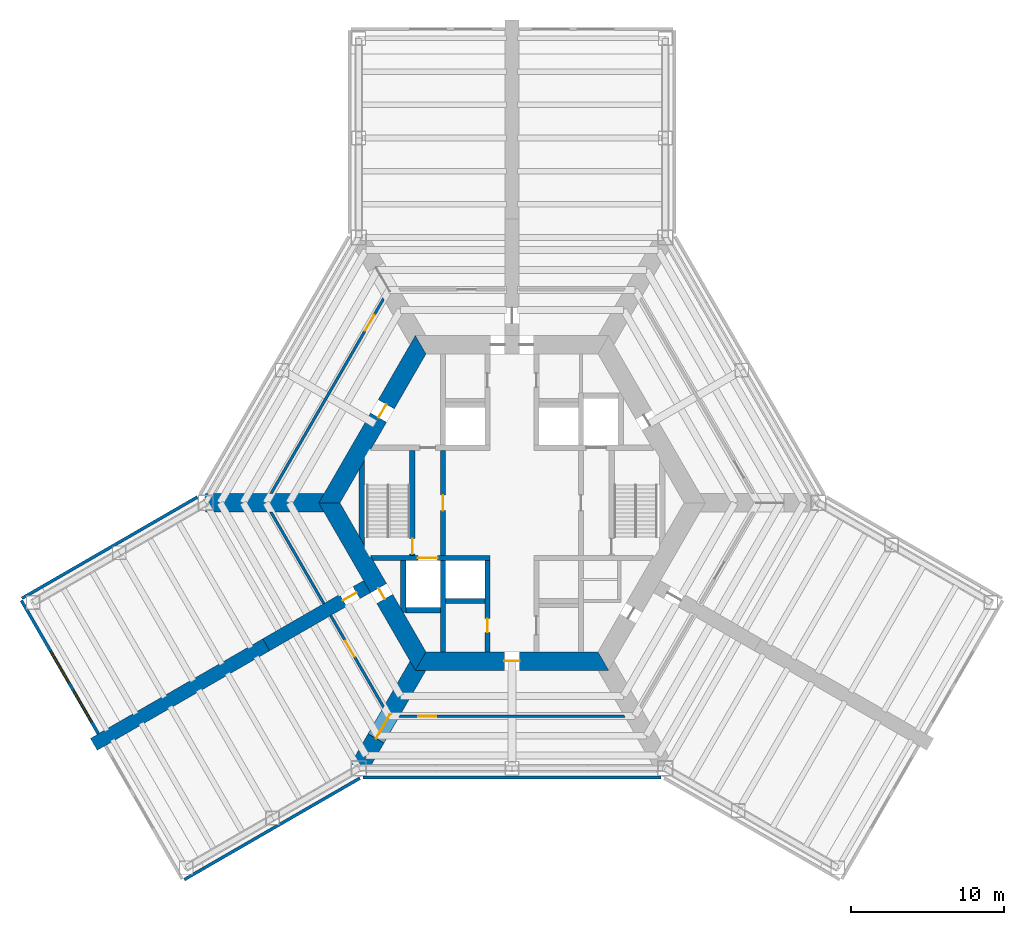
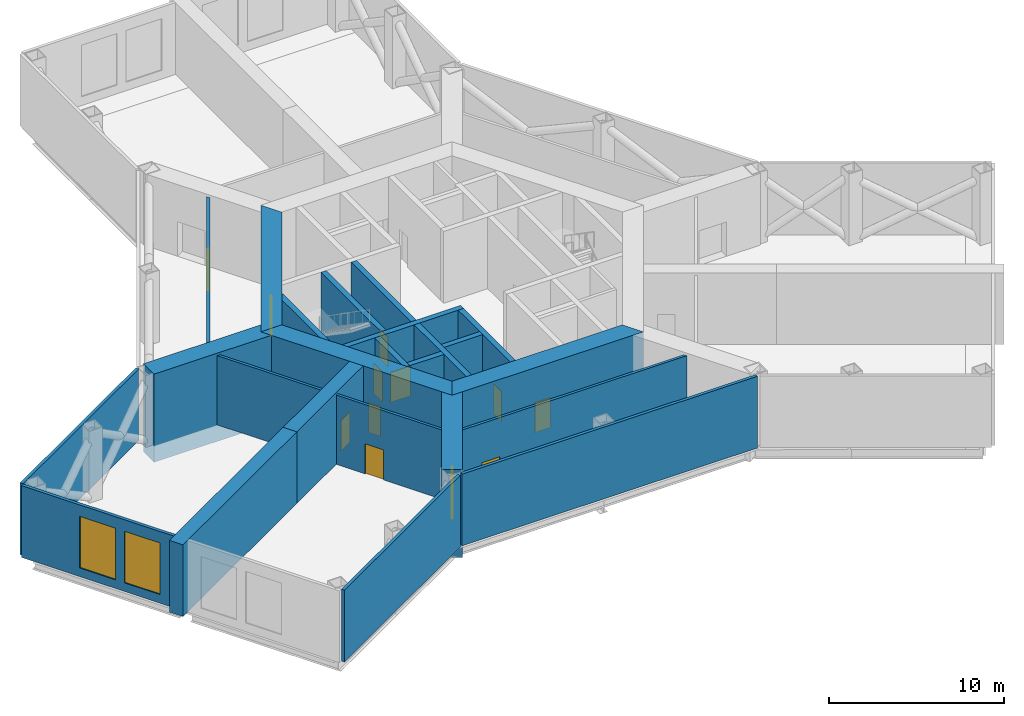
# One storey, part 4 of 8: 24 walls, 12 doors, 2 windows, 14 openings.
"""IFC4 building model written with IfcOpenShell, lengths in metres."""

from ifc_helpers import new_model, si_unit, direction, frame, frame_2d, origin, place, context, subcontext, project, spatial, polyline, rectangle, outline, extrude, material, layer, layer_set, type_object, element, fill, save


model = new_model("IFC4")

# Units and contexts
model_context = context("Model", 3, precision=1e-05, world=origin(), true_north=direction((0.0, 1.0)))
body_context = subcontext(model_context, "Body", "Model", "MODEL_VIEW")
ifc_project = project(units=[si_unit("LENGTHUNIT", "METRE"), si_unit("AREAUNIT", "SQUARE_METRE"), si_unit("VOLUMEUNIT", "CUBIC_METRE"), si_unit("PLANEANGLEUNIT", "RADIAN"), si_unit("MASSUNIT", "GRAM", prefix="KILO")], contexts=[model_context])

# Site, building, storey
site_placement = place(None, origin())
site = spatial("IfcSite", under=ifc_project, at=site_placement, CompositionType="ELEMENT")
building_placement = place(site_placement, origin())
building = spatial("IfcBuilding", under=site, at=building_placement, Name="Kasaneha Research Tower", CompositionType="ELEMENT")
storey_placement = place(building_placement, frame((0.0, 0.0, 52.0)))
storey = spatial("IfcBuildingStorey", under=building, at=storey_placement, Name="L13", CompositionType="ELEMENT", Elevation=52.0)

# Wall, opening, door
ifc_material_1 = material(Name="Concrete Fc100", Category="concrete")
ifc_layer_1 = layer(ifc_material_1, 0.35009765625)
ifc_layer_set_1 = layer_set([ifc_layer_1], Name="Core internal wall 350 Fc100")
wall_type_1 = type_object("IfcWallType", Name="Core internal wall 350 Fc100", PredefinedType="SHEAR", material=ifc_layer_set_1)
wall_1_placement = place(storey_placement, frame((-9.151123046875, -3.60009765625, 0.0), z_axis=(0.0, 0.0, 1.0), x_axis=(1.0, 0.0, 0.0)))
wall_1 = element("IfcWall", 1, at=wall_1_placement, inside=storey, type_object=wall_type_1, Name="Core wall W2W L13", PredefinedType="SHEAR", context=body_context, shape_type="SweptSolid", body=[
    extrude(outline(polyline([(0.10107421875, -0.175048828125), (3.0009765625, -0.175048828125), (4.301025390625, -0.175048828125), (7.72607421875, -0.175048828125), (7.72607421875, 0.175048828125), (4.301025390625, 0.175048828125), (3.0009765625, 0.175048828125), (-0.10107421875, 0.175048828125), (0.10107421875, -0.175048828125)])), origin(), (0.0, 0.0, 1.0), 5.0),
])
opening_1_placement = place(wall_1_placement, frame((3.0009765625, 0.0, 0.0)))
opening_1 = element("IfcOpeningElement", 2, at=opening_1_placement, cuts=wall_1, Name="Opening LD-FL2-L13", PredefinedType="OPENING", context=body_context, shape_type="SweptSolid", body=[
    extrude(rectangle(XDim=1.300048828125, YDim=2.10009765625, at=frame_2d((0.64990234375, 1.050048828125))), frame((0.0, 0.18505859375, 0.0), z_axis=(0.0, -1.0, 0.0), x_axis=(1.0, 0.0, 0.0)), (0.0, 0.0, 1.0), 0.3701171875),
])
ifc_material_2 = material(Name="Steel", Category="steel")
door_type_1 = type_object("IfcDoorType", Name="Lift landing door 1300x2100", OperationType="DOUBLE_DOOR_SLIDING", PredefinedType="DOOR", material=ifc_material_2)
door_1_placement = place(opening_1_placement, origin())
door_1 = element("IfcDoor", 3, at=door_1_placement, inside=storey, type_object=door_type_1, Name="Landing door FL2 LD-FL2-L13", OperationType="DOUBLE_DOOR_SLIDING", OverallHeight=2.10009765625, OverallWidth=1.300048828125, PredefinedType="DOOR", context=body_context, shape_type="SweptSolid", body=[
    extrude(rectangle(XDim=1.300048828125, YDim=2.10009765625, at=frame_2d((0.64990234375, 1.050048828125))), frame((0.0, 0.02490234375, 0.0), z_axis=(0.0, -1.0, 0.0), x_axis=(1.0, 0.0, 0.0)), (0.0, 0.0, 1.0), 0.050048828125),
])
fill(opening_1, door_1)

wall_2_placement = place(storey_placement, frame((-1.60009765625, -3.77490234375, 0.0), z_axis=(0.0, 0.0, 1.0), x_axis=(0.0, -1.0, 0.0)))
wall_2 = element("IfcWall", 4, at=wall_2_placement, inside=storey, type_object=wall_type_1, Name="Core wall CSW L13", PredefinedType="SHEAR", context=body_context, shape_type="SweptSolid", body=[
    extrude(rectangle(XDim=5.9501953125, YDim=0.35009765625, at=frame_2d((2.97509765625, 0.0))), origin(), (0.0, 0.0, 1.0), 5.0),
])
opening_2_placement = place(wall_2_placement, frame((3.77490234375, 0.0, 0.0)))
opening_2 = element("IfcOpeningElement", 5, at=opening_2_placement, cuts=wall_2, Name="Opening L13-D16", PredefinedType="OPENING", context=body_context, shape_type="SweptSolid", body=[
    extrude(rectangle(XDim=0.89990234375, YDim=2.10009765625, at=frame_2d((0.449951171875, 1.050048828125))), frame((0.0, 0.18505859375, 0.0), z_axis=(0.0, -1.0, 0.0), x_axis=(1.0, 0.0, 0.0)), (0.0, 0.0, 1.0), 0.3701171875),
])
ifc_material_3 = material(Name="Steel", Category="steel")
door_type_2 = type_object("IfcDoorType", Name="Riser access door FD60 900x2100", OperationType="NOTDEFINED", PredefinedType="DOOR", material=ifc_material_3)
door_2_placement = place(opening_2_placement, origin())
door_2 = element("IfcDoor", 6, at=door_2_placement, inside=storey, type_object=door_type_2, Name="Electrical riser door L13-D16", OperationType="SINGLE_SWING_LEFT", OverallHeight=2.10009765625, OverallWidth=0.89990234375, PredefinedType="DOOR", context=body_context, shape_type="SweptSolid", body=[
    extrude(rectangle(XDim=0.89990234375, YDim=2.10009765625, at=frame_2d((0.449951171875, 1.050048828125))), frame((0.0, 0.02490234375, 0.0), z_axis=(0.0, -1.0, 0.0), x_axis=(1.0, 0.0, 0.0)), (0.0, 0.0, 1.0), 0.050048828125),
])
fill(opening_2, door_2)

wall_3_placement = place(storey_placement, frame((-4.5, -3.425048828125, 0.0), z_axis=(0.0, 0.0, 1.0), x_axis=(0.0, 1.0, 0.0)))
wall_3 = element("IfcWall", 7, at=wall_3_placement, inside=storey, type_object=wall_type_1, Name="Core wall LBW L13", PredefinedType="SHEAR", context=body_context, shape_type="SweptSolid", body=[
    extrude(rectangle(XDim=6.85009765625, YDim=0.35009765625, at=frame_2d((3.425048828125, 0.0))), origin(), (0.0, 0.0, 1.0), 5.0),
])
opening_3_placement = place(wall_3_placement, frame((2.925048828125, 0.0, 0.0)))
opening_3 = element("IfcOpeningElement", 8, at=opening_3_placement, cuts=wall_3, Name="Opening L13-D09", PredefinedType="OPENING", context=body_context, shape_type="SweptSolid", body=[
    extrude(rectangle(XDim=1.0, YDim=2.10009765625, at=frame_2d((0.5, 1.050048828125))), frame((0.0, 0.18505859375, 0.0), z_axis=(0.0, -1.0, 0.0), x_axis=(1.0, 0.0, 0.0)), (0.0, 0.0, 1.0), 0.3701171875),
])
ifc_material_4 = material(Name="Steel", Category="steel")
door_type_3 = type_object("IfcDoorType", Name="Specified fire door FD60 1000x2100", OperationType="NOTDEFINED", PredefinedType="DOOR", material=ifc_material_4)
door_3_placement = place(opening_3_placement, origin())
door_3 = element("IfcDoor", 9, at=door_3_placement, inside=storey, type_object=door_type_3, Name="Lift lobby door west L13-D09", OperationType="SINGLE_SWING_LEFT", OverallHeight=2.10009765625, OverallWidth=1.0, PredefinedType="DOOR", context=body_context, shape_type="SweptSolid", body=[
    extrude(rectangle(XDim=1.0, YDim=2.10009765625, at=frame_2d((0.5, 1.050048828125))), frame((0.0, 0.02490234375, 0.0), z_axis=(0.0, -1.0, 0.0), x_axis=(1.0, 0.0, 0.0)), (0.0, 0.0, 1.0), 0.050048828125),
])
fill(opening_3, door_3)

wall_4_placement = place(storey_placement, frame((-6.5, -3.425048828125, 0.0), z_axis=(0.0, 0.0, 1.0), x_axis=(0.0, 1.0, 0.0)))
wall_4 = element("IfcWall", 10, at=wall_4_placement, inside=storey, type_object=wall_type_1, Name="Core wall ANW L13", PredefinedType="SHEAR", context=body_context, shape_type="SweptSolid", body=[
    extrude(rectangle(XDim=6.85009765625, YDim=0.35009765625, at=frame_2d((3.425048828125, 0.0))), origin(), (0.0, 0.0, 1.0), 5.0),
])
opening_4_placement = place(wall_4_placement, frame((0.10009765625, 0.0, 0.0)))
opening_4 = element("IfcOpeningElement", 11, at=opening_4_placement, cuts=wall_4, Name="Opening L13-D11", PredefinedType="OPENING", context=body_context, shape_type="SweptSolid", body=[
    extrude(rectangle(XDim=1.0, YDim=2.10009765625, at=frame_2d((0.5, 1.050048828125))), frame((0.0, 0.18505859375, 0.0), z_axis=(0.0, -1.0, 0.0), x_axis=(1.0, 0.0, 0.0)), (0.0, 0.0, 1.0), 0.3701171875),
])
door_4_placement = place(opening_4_placement, origin())
door_4 = element("IfcDoor", 12, at=door_4_placement, inside=storey, type_object=door_type_3, Name="Stair 2 door L13-D11", OperationType="SINGLE_SWING_LEFT", OverallHeight=2.10009765625, OverallWidth=1.0, PredefinedType="DOOR", context=body_context, shape_type="SweptSolid", body=[
    extrude(rectangle(XDim=1.0, YDim=2.10009765625, at=frame_2d((0.5, 1.050048828125))), frame((0.0, 0.02490234375, 0.0), z_axis=(0.0, -1.0, 0.0), x_axis=(1.0, 0.0, 0.0)), (0.0, 0.0, 1.0), 0.050048828125),
])
fill(opening_4, door_4)

# Walls
wall_5_placement = place(storey_placement, frame((-4.5, -3.77490234375, 0.0), z_axis=(0.0, 0.0, 1.0), x_axis=(0.0, -1.0, 0.0)))
element("IfcWall", 13, at=wall_5_placement, inside=storey, type_object=wall_type_1, Name="Core wall SSW L13", PredefinedType="SHEAR", context=body_context, shape_type="SweptSolid", body=[
    extrude(rectangle(XDim=5.9501953125, YDim=0.35009765625, at=frame_2d((2.97509765625, 0.0))), origin(), (0.0, 0.0, 1.0), 5.0),
])
wall_6_placement = place(storey_placement, frame((-4.324951171875, -6.39990234375, 0.0), z_axis=(0.0, 0.0, 1.0), x_axis=(1.0, 0.0, 0.0)))
element("IfcWall", 14, at=wall_6_placement, inside=storey, type_object=wall_type_1, Name="Core wall S1S L13", PredefinedType="SHEAR", context=body_context, shape_type="SweptSolid", body=[
    extrude(rectangle(XDim=2.550048828125, YDim=0.35009765625, at=frame_2d((1.27490234375, 0.0))), origin(), (0.0, 0.0, 1.0), 5.0),
])
wall_7_placement = place(storey_placement, frame((-6.925048828125, -7.0, 0.0), z_axis=(0.0, 0.0, 1.0), x_axis=(1.0, 0.0, 0.0)))
element("IfcWall", 15, at=wall_7_placement, inside=storey, type_object=wall_type_1, Name="Core wall F2S L13", PredefinedType="SHEAR", context=body_context, shape_type="SweptSolid", body=[
    extrude(rectangle(XDim=2.25, YDim=0.35009765625, at=frame_2d((1.125, 0.0))), origin(), (0.0, 0.0, 1.0), 5.0),
])
wall_8_placement = place(storey_placement, frame((-7.10009765625, -3.77490234375, 0.0), z_axis=(0.0, 0.0, 1.0), x_axis=(0.0, -1.0, 0.0)))
element("IfcWall", 16, at=wall_8_placement, inside=storey, type_object=wall_type_1, Name="Core wall F2W L13", PredefinedType="SHEAR", context=body_context, shape_type="SweptSolid", body=[
    extrude(outline(polyline([(0.0, -0.175048828125), (3.07421875, -0.175048828125), (3.37744140625, 0.0), (3.39990234375, 0.175048828125), (0.0, 0.175048828125), (0.0, -0.175048828125)])), origin(), (0.0, 0.0, 1.0), 5.0),
])
wall_9_placement = place(storey_placement, frame((-9.807861328125, -2.462158203125, 0.0), z_axis=(0.0, 0.0, 1.0), x_axis=(0.0, 1.0, 0.0)))
element("IfcWall", 17, at=wall_9_placement, inside=storey, type_object=wall_type_1, Name="Core wall STW L13", PredefinedType="SHEAR", context=body_context, shape_type="SweptSolid", body=[
    extrude(outline(polyline([(-0.30322265625, -0.175048828125), (5.2275390625, -0.175048828125), (4.62109375, 0.175048828125), (0.30322265625, 0.175048828125), (-0.30322265625, -0.175048828125)])), origin(), (0.0, 0.0, 1.0), 5.0),
])

# Wall, opening, door
ifc_material_5 = material(Name="Concrete Fc100", Category="concrete")
ifc_layer_2 = layer(ifc_material_5, 1.199951171875)
ifc_layer_set_2 = layer_set([ifc_layer_2], Name="Core wall 1200 Fc100")
wall_type_2 = type_object("IfcWallType", Name="Core wall 1200 Fc100", PredefinedType="SHEAR", material=ifc_layer_set_2)
wall_10_placement = place(storey_placement, frame((-5.961181640625, 10.324951171875, 0.0), z_axis=(0.0, 0.0, 1.0), x_axis=(-0.500004296715, -0.866022923061, 0.0)))
wall_10 = element("IfcWall", 18, at=wall_10_placement, inside=storey, type_object=wall_type_2, Name="Core wall 150 L13", PredefinedType="SHEAR", context=body_context, shape_type="SweptSolid", body=[
    extrude(outline(polyline([(-0.346435546875, -0.60009765625), (4.494140625, -0.60009765625), (5.494140625, -0.60009765625), (12.268798828125, -0.60009765625), (11.575927734375, 0.60009765625), (5.494140625, 0.60009765625), (4.494140625, 0.60009765625), (0.346435546875, 0.60009765625), (-0.346435546875, -0.60009765625)])), origin(), (0.0, 0.0, 1.0), 5.0),
])
opening_5_placement = place(wall_10_placement, frame((4.494140625, 0.0, 0.0)))
opening_5 = element("IfcOpeningElement", 19, at=opening_5_placement, cuts=wall_10, Name="Opening L13-D07", PredefinedType="OPENING", context=body_context, shape_type="SweptSolid", body=[
    extrude(rectangle(XDim=1.0, YDim=2.10009765625, at=frame_2d((0.5, 1.050048828125))), frame((0.0, 0.60986328125, 0.0), z_axis=(0.0, -1.0, 0.0), x_axis=(1.0, 0.0, 0.0)), (0.0, 0.0, 1.0), 1.219970703125),
])
ifc_material_6 = material(Name="Steel", Category="steel")
door_type_4 = type_object("IfcDoorType", Name="Fire door FD20 1000x2100", OperationType="NOTDEFINED", PredefinedType="DOOR", material=ifc_material_6)
door_5_placement = place(opening_5_placement, origin())
door_5 = element("IfcDoor", 20, at=door_5_placement, inside=storey, type_object=door_type_4, Name="Vestibule door L13-D07", OperationType="SINGLE_SWING_LEFT", OverallHeight=2.10009765625, OverallWidth=1.0, PredefinedType="DOOR", context=body_context, shape_type="SweptSolid", body=[
    extrude(rectangle(XDim=1.0, YDim=2.10009765625, at=frame_2d((0.5, 1.050048828125))), frame((0.0, 0.02490234375, 0.0), z_axis=(0.0, -1.0, 0.0), x_axis=(1.0, 0.0, 0.0)), (0.0, 0.0, 1.0), 0.050048828125),
])
fill(opening_5, door_5)

wall_11_placement = place(storey_placement, frame((-11.92236328125, 0.0, 0.0), z_axis=(0.0, 0.0, 1.0), x_axis=(0.500004296715, -0.866022923061, 0.0)))
wall_11 = element("IfcWall", 21, at=wall_11_placement, inside=storey, type_object=wall_type_2, Name="Core wall 210 L13", PredefinedType="SHEAR", context=body_context, shape_type="SweptSolid", body=[
    extrude(outline(polyline([(-0.346435546875, -0.60009765625), (6.43115234375, -0.60009765625), (7.231201171875, -0.60009765625), (12.268798828125, -0.60009765625), (11.575927734375, 0.60009765625), (7.231201171875, 0.60009765625), (6.43115234375, 0.60009765625), (0.346435546875, 0.60009765625), (-0.346435546875, -0.60009765625)])), origin(), (0.0, 0.0, 1.0), 5.0),
])
opening_6_placement = place(wall_11_placement, frame((6.43115234375, 0.0, 0.0)))
opening_6 = element("IfcOpeningElement", 22, at=opening_6_placement, cuts=wall_11, Name="Opening L13-D06", PredefinedType="OPENING", context=body_context, shape_type="SweptSolid", body=[
    extrude(rectangle(XDim=0.800048828125, YDim=2.10009765625, at=frame_2d((0.39990234375, 1.050048828125))), frame((0.0, 0.60986328125, 0.0), z_axis=(0.0, -1.0, 0.0), x_axis=(1.0, 0.0, 0.0)), (0.0, 0.0, 1.0), 1.219970703125),
])
ifc_material_7 = material(Name="Steel", Category="steel")
door_type_5 = type_object("IfcDoorType", Name="Riser access door FD60 800x2100", OperationType="NOTDEFINED", PredefinedType="DOOR", material=ifc_material_7)
door_6_placement = place(opening_6_placement, origin())
door_6 = element("IfcDoor", 23, at=door_6_placement, inside=storey, type_object=door_type_5, Name="Duct riser door L13-D06", OperationType="SINGLE_SWING_RIGHT", OverallHeight=2.10009765625, OverallWidth=0.800048828125, PredefinedType="DOOR", context=body_context, shape_type="SweptSolid", body=[
    extrude(rectangle(XDim=0.800048828125, YDim=2.10009765625, at=frame_2d((0.39990234375, 1.050048828125))), frame((0.0, 0.02490234375, 0.0), z_axis=(0.0, -1.0, 0.0), x_axis=(1.0, 0.0, 0.0)), (0.0, 0.0, 1.0), 0.050048828125),
])
fill(opening_6, door_6)

wall_12_placement = place(storey_placement, frame((-5.961181640625, -10.324951171875, 0.0), z_axis=(0.0, 0.0, 1.0), x_axis=(1.0, 0.0, 0.0)))
wall_12 = element("IfcWall", 24, at=wall_12_placement, inside=storey, type_object=wall_type_2, Name="Core wall 270 L13", PredefinedType="SHEAR", context=body_context, shape_type="SweptSolid", body=[
    extrude(outline(polyline([(-0.346435546875, -0.60009765625), (5.461181640625, -0.60009765625), (6.461181640625, -0.60009765625), (12.268798828125, -0.60009765625), (11.575927734375, 0.60009765625), (6.461181640625, 0.60009765625), (5.461181640625, 0.60009765625), (0.346435546875, 0.60009765625), (-0.346435546875, -0.60009765625)])), origin(), (0.0, 0.0, 1.0), 5.0),
])
opening_7_placement = place(wall_12_placement, frame((5.461181640625, 0.0, 0.0)))
opening_7 = element("IfcOpeningElement", 25, at=opening_7_placement, cuts=wall_12, Name="Opening L13-D03", PredefinedType="OPENING", context=body_context, shape_type="SweptSolid", body=[
    extrude(rectangle(XDim=1.0, YDim=2.10009765625, at=frame_2d((0.5, 1.050048828125))), frame((0.0, 0.60986328125, 0.0), z_axis=(0.0, -1.0, 0.0), x_axis=(1.0, 0.0, 0.0)), (0.0, 0.0, 1.0), 1.219970703125),
])
door_7_placement = place(opening_7_placement, origin())
door_7 = element("IfcDoor", 26, at=door_7_placement, inside=storey, type_object=door_type_4, Name="Core door south L13-D03", OperationType="SINGLE_SWING_LEFT", OverallHeight=2.10009765625, OverallWidth=1.0, PredefinedType="DOOR", context=body_context, shape_type="SweptSolid", body=[
    extrude(rectangle(XDim=1.0, YDim=2.10009765625, at=frame_2d((0.5, 1.050048828125))), frame((0.0, 0.02490234375, 0.0), z_axis=(0.0, -1.0, 0.0), x_axis=(1.0, 0.0, 0.0)), (0.0, 0.0, 1.0), 0.050048828125),
])
fill(opening_7, door_7)

# Walls
ifc_material_8 = material(Name="Terracotta cladding on steel frame", Category="masonry")
ifc_layer_3 = layer(ifc_material_8, 0.199951171875)
ifc_layer_set_3 = layer_set([ifc_layer_3], Name="Louvred plant wall 200")
wall_type_3 = type_object("IfcWallType", Name="Louvred plant wall 200", PredefinedType="ELEMENTEDWALL", material=ifc_layer_set_3)
wall_13_placement = place(storey_placement, frame((-21.391357421875, -24.590087890625, 0.0), z_axis=(0.0, 0.0, 1.0), x_axis=(0.86602620781, 0.499998607384, 0.0)))
element("IfcWall", 27, at=wall_13_placement, inside=storey, type_object=wall_type_3, Name="Louvred plant wall L13", PredefinedType="ELEMENTEDWALL", context=body_context, shape_type="SweptSolid", body=[
    extrude(rectangle(XDim=13.2392578125, YDim=0.199951171875, at=frame_2d((6.61962890625, 0.0))), origin(), (0.0, 0.0, 1.0), 5.0),
])
wall_14_placement = place(storey_placement, frame((-9.7392578125, -17.92041015625, 0.0), z_axis=(0.0, 0.0, 1.0), x_axis=(1.0, 0.0, 0.0)))
element("IfcWall", 28, at=wall_14_placement, inside=storey, type_object=wall_type_3, Name="Louvred plant wall L13", PredefinedType="ELEMENTEDWALL", context=body_context, shape_type="SweptSolid", body=[
    extrude(rectangle(XDim=19.478515625, YDim=0.199951171875, at=frame_2d((9.7392578125, 0.0))), origin(), (0.0, 0.0, 1.0), 5.0),
])
wall_15_placement = place(storey_placement, frame((-20.52587890625, 0.38916015625, 0.0), z_axis=(0.0, 0.0, 1.0), x_axis=(-0.86602620781, -0.499998607384, 0.0)))
element("IfcWall", 29, at=wall_15_placement, inside=storey, type_object=wall_type_3, Name="Louvred plant wall L13", PredefinedType="ELEMENTEDWALL", context=body_context, shape_type="SweptSolid", body=[
    extrude(rectangle(XDim=13.2392578125, YDim=0.199951171875, at=frame_2d((6.61962890625, 0.0))), origin(), (0.0, 0.0, 1.0), 5.0),
])

# Wall, openings, windows
wall_16_placement = place(storey_placement, frame((-32.02783203125, -6.366943359375, 0.0), z_axis=(0.0, 0.0, 1.0), x_axis=(0.499990214365, -0.86603105345, 0.0)))
wall_16 = element("IfcWall", 30, at=wall_16_placement, inside=storey, type_object=wall_type_3, Name="Louvred plant wall L13", PredefinedType="ELEMENTEDWALL", context=body_context, shape_type="SweptSolid", body=[
    extrude(rectangle(XDim=10.050048828125, YDim=0.199951171875, at=frame_2d((5.02490234375, 0.0))), origin(), (0.0, 0.0, 1.0), 5.0),
])
opening_8_placement = place(wall_16_placement, frame((3.85009765625, 0.0, 0.60009765625)))
opening_8 = element("IfcOpeningElement", 31, at=opening_8_placement, cuts=wall_16, Name="Opening LV1", PredefinedType="OPENING", context=body_context, shape_type="SweptSolid", body=[
    extrude(rectangle(XDim=2.35009765625, YDim=3.60009765625, at=frame_2d((1.175048828125, 1.800048828125))), frame((0.0, 0.10986328125, 0.0), z_axis=(0.0, -1.0, 0.0), x_axis=(1.0, 0.0, 0.0)), (0.0, 0.0, 1.0), 0.219970703125),
])
opening_9_placement = place(wall_16_placement, frame((6.800048828125, 0.0, 0.60009765625)))
opening_9 = element("IfcOpeningElement", 32, at=opening_9_placement, cuts=wall_16, Name="Opening LV1", PredefinedType="OPENING", context=body_context, shape_type="SweptSolid", body=[
    extrude(rectangle(XDim=2.35009765625, YDim=3.60009765625, at=frame_2d((1.175048828125, 1.800048828125))), frame((0.0, 0.10986328125, 0.0), z_axis=(0.0, -1.0, 0.0), x_axis=(1.0, 0.0, 0.0)), (0.0, 0.0, 1.0), 0.219970703125),
])
ifc_material_9 = material(Name="Aluminium 6063-T6", Category="aluminium")
window_type = type_object("IfcWindowType", Name="Louvre 2350x3600", PartitioningType="SINGLE_PANEL", PredefinedType="USERDEFINED", material=ifc_material_9)
window_1_placement = place(opening_8_placement, origin())
window_1 = element("IfcWindow", 33, at=window_1_placement, inside=storey, type_object=window_type, Name="Plant louvre L13 2", ObjectType="LOUVRE", OverallHeight=3.60009765625, OverallWidth=2.35009765625, PartitioningType="SINGLE_PANEL", PredefinedType="USERDEFINED", context=body_context, shape_type="SweptSolid", body=[
    extrude(rectangle(XDim=2.35009765625, YDim=3.60009765625, at=frame_2d((1.175048828125, 1.800048828125))), frame((0.0, 0.030029296875, 0.0), z_axis=(0.0, -1.0, 0.0), x_axis=(1.0, 0.0, 0.0)), (0.0, 0.0, 1.0), 0.06005859375),
])
fill(opening_8, window_1)
window_2_placement = place(opening_9_placement, origin())
window_2 = element("IfcWindow", 34, at=window_2_placement, inside=storey, type_object=window_type, Name="Plant louvre L13 3", ObjectType="LOUVRE", OverallHeight=3.60009765625, OverallWidth=2.35009765625, PartitioningType="SINGLE_PANEL", PredefinedType="USERDEFINED", context=body_context, shape_type="SweptSolid", body=[
    extrude(rectangle(XDim=2.35009765625, YDim=3.60009765625, at=frame_2d((1.175048828125, 1.800048828125))), frame((0.0, 0.030029296875, 0.0), z_axis=(0.0, -1.0, 0.0), x_axis=(1.0, 0.0, 0.0)), (0.0, 0.0, 1.0), 0.06005859375),
])
fill(opening_9, window_2)

# Wall
ifc_material_10 = material(Name="Concrete Fc100", Category="concrete")
ifc_layer_4 = layer(ifc_material_10, 1.199951171875)
ifc_layer_set_4 = layer_set([ifc_layer_4], Name="Outrigger wall 1200 Fc100")
wall_type_4 = type_object("IfcWallType", Name="Outrigger wall 1200 Fc100", PredefinedType="SHEAR", material=ifc_layer_set_4)
wall_17_placement = place(storey_placement, frame((-12.614990234375, 0.0, -1.14990234375), z_axis=(0.0, 0.0, 1.0), x_axis=(-1.0, 0.0, 0.0)))
element("IfcWall", 35, at=wall_17_placement, inside=storey, type_object=wall_type_4, Name="Outrigger wall 180 L13", PredefinedType="SHEAR", context=body_context, shape_type="SweptSolid", body=[
    extrude(outline(polyline([(-0.346435546875, -0.60009765625), (7.385009765625, -0.60009765625), (7.385009765625, 0.60009765625), (-0.346435546875, 0.60009765625), (0.0, 0.0), (-0.346435546875, -0.60009765625)])), origin(), (0.0, 0.0, 1.0), 6.14990234375),
])

# Wall, opening, door
wall_18_placement = place(storey_placement, frame((-6.3076171875, -10.925048828125, -1.14990234375), z_axis=(0.0, 0.0, 1.0), x_axis=(-0.499993363642, -0.866029235253, 0.0)))
wall_18 = element("IfcWall", 36, at=wall_18_placement, inside=storey, type_object=wall_type_4, Name="Outrigger wall 240 L13", PredefinedType="SHEAR", context=body_context, shape_type="SweptSolid", body=[
    extrude(outline(polyline([(-0.346435546875, -0.60009765625), (3.337646484375, -0.60009765625), (5.1376953125, -0.60009765625), (7.384765625, -0.60009765625), (7.384765625, 0.60009765625), (5.1376953125, 0.60009765625), (3.337646484375, 0.60009765625), (-0.346435546875, 0.60009765625), (0.0, 0.0), (-0.346435546875, -0.60009765625)])), origin(), (0.0, 0.0, 1.0), 6.14990234375),
])
opening_10_placement = place(wall_18_placement, frame((3.337646484375, 0.0, 1.14990234375)))
opening_10 = element("IfcOpeningElement", 37, at=opening_10_placement, cuts=wall_18, Name="Opening L13-D22", PredefinedType="OPENING", context=body_context, shape_type="SweptSolid", body=[
    extrude(rectangle(XDim=1.800048828125, YDim=2.39990234375, at=frame_2d((0.89990234375, 1.199951171875))), frame((0.0, 0.60986328125, 0.0), z_axis=(0.0, -1.0, 0.0), x_axis=(1.0, 0.0, 0.0)), (0.0, 0.0, 1.0), 1.219970703125),
])
ifc_material_11 = material(Name="Steel", Category="steel")
door_type_6 = type_object("IfcDoorType", Name="Plant room double door FD60 1800x2400", OperationType="DOUBLE_DOOR_SINGLE_SWING", PredefinedType="DOOR", material=ifc_material_11)
door_8_placement = place(opening_10_placement, origin())
door_8 = element("IfcDoor", 38, at=door_8_placement, inside=storey, type_object=door_type_6, Name="Plant room door L13-D22", OperationType="DOUBLE_DOOR_SINGLE_SWING", OverallHeight=2.39990234375, OverallWidth=1.800048828125, PredefinedType="DOOR", context=body_context, shape_type="SweptSolid", body=[
    extrude(rectangle(XDim=1.800048828125, YDim=2.39990234375, at=frame_2d((0.89990234375, 1.199951171875))), frame((0.0, 0.02490234375, 0.0), z_axis=(0.0, -1.0, 0.0), x_axis=(1.0, 0.0, 0.0)), (0.0, 0.0, 1.0), 0.050048828125),
])
fill(opening_10, door_8)

ifc_material_12 = material(Name="Gypsum board on steel studs, two layers each side", Category="steel")
ifc_layer_5 = layer(ifc_material_12, 0.175048828125)
ifc_layer_set_5 = layer_set([ifc_layer_5], Name="Refuge fire partition 175")
wall_type_5 = type_object("IfcWallType", Name="Refuge fire partition 175", PredefinedType="PARTITIONING", material=ifc_layer_set_5)
wall_19_placement = place(storey_placement, frame((-8.385986328125, 13.324951171875, 0.0), z_axis=(0.0, 0.0, 1.0), x_axis=(-0.500011547171, -0.866018736919, 0.0)))
wall_19 = element("IfcWall", 39, at=wall_19_placement, inside=storey, type_object=wall_type_5, Name="Refuge fire partition RFBN01 L13", PredefinedType="PARTITIONING", context=body_context, shape_type="SweptSolid", body=[
    extrude(outline(polyline([(-0.050537109375, -0.08740234375), (1.212890625, -0.08740234375), (2.412841796875, -0.08740234375), (14.744140625, -0.08740234375), (14.64306640625, 0.08740234375), (2.412841796875, 0.08740234375), (1.212890625, 0.08740234375), (0.050537109375, 0.08740234375), (-0.050537109375, -0.08740234375)])), origin(), (0.0, 0.0, 1.0), 4.830078125),
])
opening_11_placement = place(wall_19_placement, frame((1.212890625, 0.0, 0.0)))
opening_11 = element("IfcOpeningElement", 40, at=opening_11_placement, cuts=wall_19, Name="Opening L13-D25", PredefinedType="OPENING", context=body_context, shape_type="SweptSolid", body=[
    extrude(rectangle(XDim=1.199951171875, YDim=2.10009765625, at=frame_2d((0.60009765625, 1.050048828125))), frame((0.0, 0.09765625, 0.0), z_axis=(0.0, -1.0, 0.0), x_axis=(1.0, 0.0, 0.0)), (0.0, 0.0, 1.0), 0.195068359375),
])
ifc_material_13 = material(Name="Steel", Category="steel")
door_type_7 = type_object("IfcDoorType", Name="Laboratory door FD60 1200x2100", OperationType="DOUBLE_DOOR_SINGLE_SWING", PredefinedType="DOOR", material=ifc_material_13)
door_9_placement = place(opening_11_placement, origin())
door_9 = element("IfcDoor", 41, at=door_9_placement, inside=storey, type_object=door_type_7, Name="Plant room door L13-D25", OperationType="DOUBLE_DOOR_SINGLE_SWING", OverallHeight=2.10009765625, OverallWidth=1.199951171875, PredefinedType="DOOR", context=body_context, shape_type="SweptSolid", body=[
    extrude(rectangle(XDim=1.199951171875, YDim=2.10009765625, at=frame_2d((0.60009765625, 1.050048828125))), frame((0.0, 0.02490234375, 0.0), z_axis=(0.0, -1.0, 0.0), x_axis=(1.0, 0.0, 0.0)), (0.0, 0.0, 1.0), 0.050048828125),
])
fill(opening_11, door_9)

# Wall
wall_20_placement = place(storey_placement, frame((-15.73291015625, -0.60009765625, 0.0), z_axis=(0.0, 0.0, 1.0), x_axis=(0.500013761451, -0.866017458461, 0.0)))
element("IfcWall", 42, at=wall_20_placement, inside=storey, type_object=wall_type_5, Name="Refuge fire partition RFBN02 L13", PredefinedType="PARTITIONING", context=body_context, shape_type="SweptSolid", body=[
    extrude(outline(polyline([(-0.050537109375, -0.08740234375), (6.891845703125, -0.08740234375), (6.891845703125, 0.08740234375), (0.050537109375, 0.08740234375), (-0.050537109375, -0.08740234375)])), origin(), (0.0, 0.0, 1.0), 4.830078125),
])

# Wall, opening, door
wall_21_placement = place(storey_placement, frame((-11.831787109375, -7.3564453125, 0.0), z_axis=(0.0, 0.0, 1.0), x_axis=(0.49998719302, -0.866032797772, 0.0)))
wall_21 = element("IfcWall", 43, at=wall_21_placement, inside=storey, type_object=wall_type_5, Name="Refuge fire partition RFBS01 L13", PredefinedType="PARTITIONING", context=body_context, shape_type="SweptSolid", body=[
    extrude(outline(polyline([(0.0, -0.08740234375), (1.900146484375, -0.08740234375), (3.10009765625, -0.08740234375), (6.9423828125, -0.08740234375), (6.84130859375, 0.08740234375), (3.10009765625, 0.08740234375), (1.900146484375, 0.08740234375), (0.0, 0.08740234375), (0.0, -0.08740234375)])), origin(), (0.0, 0.0, 1.0), 4.830078125),
])
opening_12_placement = place(wall_21_placement, frame((1.900146484375, 0.0, 0.0)))
opening_12 = element("IfcOpeningElement", 44, at=opening_12_placement, cuts=wall_21, Name="Opening L13-D26", PredefinedType="OPENING", context=body_context, shape_type="SweptSolid", body=[
    extrude(rectangle(XDim=1.199951171875, YDim=2.10009765625, at=frame_2d((0.60009765625, 1.050048828125))), frame((0.0, 0.09765625, 0.0), z_axis=(0.0, -1.0, 0.0), x_axis=(1.0, 0.0, 0.0)), (0.0, 0.0, 1.0), 0.195068359375),
])
door_10_placement = place(opening_12_placement, origin())
door_10 = element("IfcDoor", 45, at=door_10_placement, inside=storey, type_object=door_type_7, Name="Plant room door L13-D26", OperationType="DOUBLE_DOOR_SINGLE_SWING", OverallHeight=2.10009765625, OverallWidth=1.199951171875, PredefinedType="DOOR", context=body_context, shape_type="SweptSolid", body=[
    extrude(rectangle(XDim=1.199951171875, YDim=2.10009765625, at=frame_2d((0.60009765625, 1.050048828125))), frame((0.0, 0.02490234375, 0.0), z_axis=(0.0, -1.0, 0.0), x_axis=(1.0, 0.0, 0.0)), (0.0, 0.0, 1.0), 0.050048828125),
])
fill(opening_12, door_10)

wall_22_placement = place(storey_placement, frame((-7.3466796875, -13.925048828125, 0.0), z_axis=(0.0, 0.0, 1.0), x_axis=(1.0, 0.0, 0.0)))
wall_22 = element("IfcWall", 46, at=wall_22_placement, inside=storey, type_object=wall_type_5, Name="Refuge fire partition RFCS01 L13", PredefinedType="PARTITIONING", context=body_context, shape_type="SweptSolid", body=[
    extrude(outline(polyline([(-0.050537109375, -0.08740234375), (1.212890625, -0.08740234375), (2.412841796875, -0.08740234375), (14.743896484375, -0.08740234375), (14.642822265625, 0.08740234375), (2.412841796875, 0.08740234375), (1.212890625, 0.08740234375), (0.050537109375, 0.08740234375), (-0.050537109375, -0.08740234375)])), origin(), (0.0, 0.0, 1.0), 4.830078125),
])
opening_13_placement = place(wall_22_placement, frame((1.212890625, 0.0, 0.0)))
opening_13 = element("IfcOpeningElement", 47, at=opening_13_placement, cuts=wall_22, Name="Opening L13-D28", PredefinedType="OPENING", context=body_context, shape_type="SweptSolid", body=[
    extrude(rectangle(XDim=1.199951171875, YDim=2.10009765625, at=frame_2d((0.60009765625, 1.050048828125))), frame((0.0, 0.09765625, 0.0), z_axis=(0.0, -1.0, 0.0), x_axis=(1.0, 0.0, 0.0)), (0.0, 0.0, 1.0), 0.195068359375),
])
door_11_placement = place(opening_13_placement, origin())
door_11 = element("IfcDoor", 48, at=door_11_placement, inside=storey, type_object=door_type_7, Name="Plant room door L13-D28", OperationType="DOUBLE_DOOR_SINGLE_SWING", OverallHeight=2.10009765625, OverallWidth=1.199951171875, PredefinedType="DOOR", context=body_context, shape_type="SweptSolid", body=[
    extrude(rectangle(XDim=1.199951171875, YDim=2.10009765625, at=frame_2d((0.60009765625, 1.050048828125))), frame((0.0, 0.02490234375, 0.0), z_axis=(0.0, -1.0, 0.0), x_axis=(1.0, 0.0, 0.0)), (0.0, 0.0, 1.0), 0.050048828125),
])
fill(opening_13, door_11)

ifc_material_14 = material(Name="Concrete Fc100", Category="concrete")
ifc_layer_6 = layer(ifc_material_14, 0.89990234375)
ifc_layer_set_6 = layer_set([ifc_layer_6], Name="Spine wall 900 Fc100")
wall_type_6 = type_object("IfcWallType", Name="Spine wall 900 Fc100", PredefinedType="SHEAR", material=ifc_layer_set_6)
wall_23_placement = place(storey_placement, frame((-9.46142578125, -5.46240234375, 0.0), z_axis=(0.0, 0.0, 1.0), x_axis=(-0.866019116917, -0.500010889016, 0.0)))
wall_23 = element("IfcWall", 49, at=wall_23_placement, inside=storey, type_object=wall_type_6, Name="Spine wall B L13", PredefinedType="SHEAR", context=body_context, shape_type="SweptSolid", body=[
    extrude(rectangle(XDim=7.595458984375, YDim=0.89990234375, at=frame_2d((3.7978515625, 0.0))), origin(), (0.0, 0.0, 1.0), 5.0),
])
opening_14_placement = place(wall_23_placement, frame((0.800048828125, 0.0, 0.0)))
opening_14 = element("IfcOpeningElement", 50, at=opening_14_placement, cuts=wall_23, Name="Opening L13-D18", PredefinedType="OPENING", context=body_context, shape_type="SweptSolid", body=[
    extrude(rectangle(XDim=1.0, YDim=2.10009765625, at=frame_2d((0.5, 1.050048828125))), frame((0.0, 0.4599609375, 0.0), z_axis=(0.0, -1.0, 0.0), x_axis=(1.0, 0.0, 0.0)), (0.0, 0.0, 1.0), 0.919921875),
])
door_12_placement = place(opening_14_placement, origin())
door_12 = element("IfcDoor", 51, at=door_12_placement, inside=storey, type_object=door_type_3, Name="Spine doorway B L13-D18", OperationType="SINGLE_SWING_LEFT", OverallHeight=2.10009765625, OverallWidth=1.0, PredefinedType="DOOR", context=body_context, shape_type="SweptSolid", body=[
    extrude(rectangle(XDim=1.0, YDim=2.10009765625, at=frame_2d((0.5, 1.050048828125))), frame((0.0, 0.02490234375, 0.0), z_axis=(0.0, -1.0, 0.0), x_axis=(1.0, 0.0, 0.0)), (0.0, 0.0, 1.0), 0.050048828125),
])
fill(opening_14, door_12)

# Wall
wall_24_placement = place(storey_placement, frame((-16.039306640625, -9.26025390625, 0.0), z_axis=(0.0, 0.0, 1.0), x_axis=(-0.866024837091, -0.50000098154, 0.0)))
element("IfcWall", 52, at=wall_24_placement, inside=storey, type_object=wall_type_6, Name="Spine wall B wing L13", PredefinedType="SHEAR", context=body_context, shape_type="SweptSolid", body=[
    extrude(rectangle(XDim=13.0, YDim=0.89990234375, at=frame_2d((6.5, 0.0))), origin(), (0.0, 0.0, 1.0), 5.0),
])

save(model, "model.ifc")
